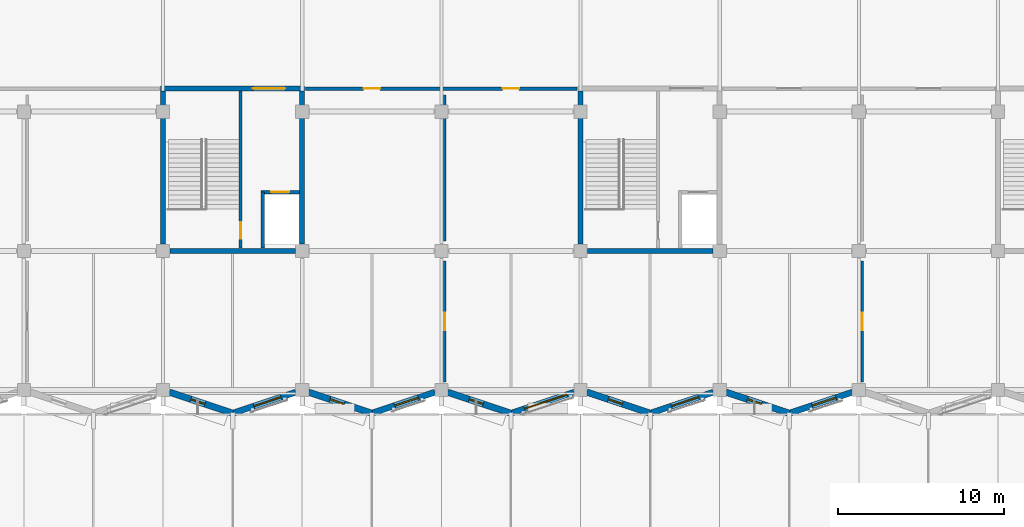
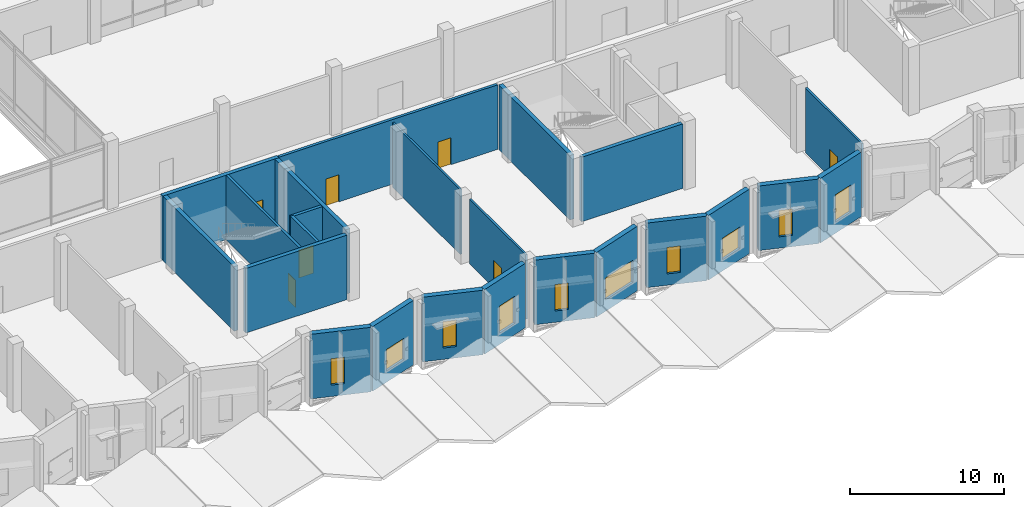
# One storey, part 50 of 72: 23 walls, 10 windows, 7 doors, 17 openings.
"""IFC4 building model written with IfcOpenShell, lengths in metres."""

import ifcopenshell
import ifcopenshell.guid

model = None  # the IFC model being written
_history = None  # IfcOwnerHistory: only IFC2X3 demands one
_inside = {}  # id of a spatial element -> (the spatial element, [elements in it])
_under = {}  # id of a project, library or spatial element -> (it, [spatial elements below it])
_declared = {}  # id of a project -> (the project, [libraries it declares])
_typed = {}  # id of a type object -> (the type object, [elements of that type])
_made_of = {}  # id of a material, layer set ... -> (it, [elements and type objects made of it])


def new_model(schema):
    """Start an empty IFC model of exactly this schema.

    Asked for "IFC4X3", IfcOpenShell would pick the latest addendum, in which some entities
    have other attributes; the version numbers below select the first issue.
    IFC2X3 requires an IfcOwnerHistory on every rooted entity: one is made here for all.
    """
    global model, _history
    if schema == "IFC4X3":
        model = ifcopenshell.file(schema_version=(4, 3, 0, 0))
    else:
        model = ifcopenshell.file(schema=schema)
    _inside.clear()
    _under.clear()
    _declared.clear()
    _typed.clear()
    _made_of.clear()
    _history = None
    if model.schema == "IFC2X3":
        org = make("IfcOrganization", Name="unknown")
        user = make(
            "IfcPersonAndOrganization",
            ThePerson=make("IfcPerson", FamilyName="unknown"),
            TheOrganization=org,
        )
        app = make(
            "IfcApplication",
            ApplicationDeveloper=org,
            Version="unknown",
            ApplicationFullName="unknown",
            ApplicationIdentifier="unknown",
        )
        _history = make(
            "IfcOwnerHistory",
            OwningUser=user,
            OwningApplication=app,
            ChangeAction="ADDED",
            CreationDate=0,
        )
    return model


def make(cls, **values):
    """One entity of the class cls with the attributes given. An attribute that is None is left unset."""
    return model.create_entity(
        cls, **{name: value for name, value in values.items() if value is not None}
    )


def rooted(cls, **values):
    """An entity with a GlobalId (a new one), such as an element, a storey or a relation."""
    return make(cls, GlobalId=ifcopenshell.guid.new(), OwnerHistory=_history, **values)


def si_unit(unit_type, name, prefix=None):
    """IfcSIUnit, for example si_unit("LENGTHUNIT", "METRE", prefix="MILLI")."""
    return make("IfcSIUnit", UnitType=unit_type, Prefix=prefix, Name=name)


def assignment(units):
    """IfcUnitAssignment: the units of a project."""
    return None if units is None else make("IfcUnitAssignment", Units=units)


def point(xyz):
    """IfcCartesianPoint."""
    return None if xyz is None else make("IfcCartesianPoint", Coordinates=xyz)


def direction(xyz):
    """IfcDirection."""
    return None if xyz is None else make("IfcDirection", DirectionRatios=xyz)


def frame(location, z_axis=None, x_axis=None):
    """IfcAxis2Placement3D, a coordinate frame: its origin and axes. An axis left out is left unset."""
    return make(
        "IfcAxis2Placement3D",
        Location=point(location),
        Axis=direction(z_axis),
        RefDirection=direction(x_axis),
    )


def frame_2d(location, x_axis=None):
    """IfcAxis2Placement2D, a coordinate frame in the plane: its origin and x axis."""
    return make(
        "IfcAxis2Placement2D", Location=point(location), RefDirection=direction(x_axis)
    )


def origin():
    """The frame at (0, 0, 0) with its axes left unset."""
    return frame((0.0, 0.0, 0.0))


def place(relative_to, where):
    """IfcLocalPlacement: puts the frame where relative to a parent placement (None: the world)."""
    return make(
        "IfcLocalPlacement", PlacementRelTo=relative_to, RelativePlacement=where
    )


def context(
    kind, dimensions, precision=None, world=None, true_north=None, identifier=None
):
    """IfcGeometricRepresentationContext, for example the 3D "Model" context."""
    return make(
        "IfcGeometricRepresentationContext",
        ContextIdentifier=identifier,
        ContextType=kind,
        CoordinateSpaceDimension=dimensions,
        Precision=precision,
        WorldCoordinateSystem=world,
        TrueNorth=true_north,
    )


def subcontext(parent, identifier, kind, view, scale=None):
    """IfcGeometricRepresentationSubContext, for example "Body" below "Model"."""
    return make(
        "IfcGeometricRepresentationSubContext",
        ContextIdentifier=identifier,
        ContextType=kind,
        ParentContext=parent,
        TargetScale=scale,
        TargetView=view,
    )


def project(units=None, contexts=None):
    """IfcProject with its units and contexts."""
    return rooted(
        "IfcProject",
        Name="project",
        RepresentationContexts=contexts,
        UnitsInContext=assignment(units),
    )


def spatial(cls, under=None, at=None, **own):
    """A site, building, storey or space (cls), placed at a placement, below another one or the project."""
    s = rooted(cls, ObjectPlacement=at, **own)
    if under is not None:
        _under.setdefault(under.id(), (under, []))[1].append(s)
    return s


def profile(cls, at=None, kind="AREA", **sizes):
    """A parametric profile (cls). Its sizes go by their IFC names, for example OverallWidth=200.0."""
    return make(cls, ProfileType=kind, Position=at, **sizes)


def rectangle(**sizes):
    """IfcRectangleProfileDef."""
    return profile("IfcRectangleProfileDef", **sizes)


def extrude(swept, where, along, depth):
    """IfcExtrudedAreaSolid: the profile swept, set in the frame where, extruded along a direction by depth."""
    return make(
        "IfcExtrudedAreaSolid",
        SweptArea=swept,
        Position=where,
        ExtrudedDirection=direction(along),
        Depth=depth,
    )


def shape(context_of_items, identifier, shape_type, items):
    """IfcShapeRepresentation: the items that make up one representation, for example the "Body"."""
    return make(
        "IfcShapeRepresentation",
        ContextOfItems=context_of_items,
        RepresentationIdentifier=identifier,
        RepresentationType=shape_type,
        Items=items,
    )


def material(Name=None, Category=None):
    """IfcMaterial."""
    return make("IfcMaterial", Name=Name, Category=Category)


def layer(
    of_material, thickness, ventilated=None, Name=None, Category=None, Priority=None
):
    """IfcMaterialLayer: one layer of a wall or slab, of a material (None: an air gap)."""
    return make(
        "IfcMaterialLayer",
        Material=of_material,
        LayerThickness=thickness,
        IsVentilated=ventilated,
        Name=Name,
        Category=Category,
        Priority=Priority,
    )


def layer_set(layers, Name=None):
    """IfcMaterialLayerSet."""
    return make("IfcMaterialLayerSet", MaterialLayers=layers, LayerSetName=Name)


def made_of(thing, what):
    """Note that an element or type object is made of a material, layer set ...; save() writes the relation."""
    if what is not None:
        _made_of.setdefault(what.id(), (what, []))[1].append(thing)
    return thing


def type_object(cls, material=None, **own):
    """A type object (cls), such as IfcWallType, which elements share."""
    return made_of(rooted(cls, **own), material)


def element(
    cls,
    number,
    at=None,
    inside=None,
    cuts=None,
    type_object=None,
    material=None,
    context=None,
    identifier="Body",
    shape_type=None,
    held_by="IfcProductDefinitionShape",
    body=None,
    shapes=None,
    **own,
):
    """One element of the class cls, such as IfcWall. Its Tag is "e" and its number.

    at: its placement. inside: the storey or other place that contains it. cuts: it is an
    opening in that element (IfcRelVoidsElement). A single representation is given by context,
    identifier, shape_type and body (its items); several are given by shapes. held_by: the class
    of the entity that holds the representations. save() writes the other relations.
    """
    e = rooted(cls, Tag="e%d" % number, ObjectPlacement=at, **own)
    if body is not None:
        shapes = [shape(context, identifier, shape_type, body)]
    if shapes is not None:
        e.Representation = make(held_by, Representations=shapes)
    if inside is not None:
        _inside.setdefault(inside.id(), (inside, []))[1].append(e)
    if cuts is not None:
        rooted(
            "IfcRelVoidsElement", RelatingBuildingElement=cuts, RelatedOpeningElement=e
        )
    if type_object is not None:
        _typed.setdefault(type_object.id(), (type_object, []))[1].append(e)
    return made_of(e, material)


def fill(opening, filler):
    """IfcRelFillsElement: the door or window that sits in an opening."""
    return rooted(
        "IfcRelFillsElement",
        RelatingOpeningElement=opening,
        RelatedBuildingElement=filler,
    )


def aggregate(whole, parts):
    """IfcRelAggregates: a whole, such as a stair, and the parts it consists of."""
    return rooted("IfcRelAggregates", RelatingObject=whole, RelatedObjects=parts)


def save(model, path):
    """Write the relations noted so far, then the file.

    IfcRelAggregates (storeys below a building ...), IfcRelContainedInSpatialStructure (elements
    in a storey), IfcRelDefinesByType, IfcRelAssociatesMaterial and IfcRelDeclares: one each for
    every whole, place, type object, material and project.
    """
    for whole, parts in _under.values():
        aggregate(whole, parts)
    for where, things in _inside.values():
        rooted(
            "IfcRelContainedInSpatialStructure",
            RelatedElements=things,
            RelatingStructure=where,
        )
    for kind, things in _typed.values():
        rooted("IfcRelDefinesByType", RelatedObjects=things, RelatingType=kind)
    for what, things in _made_of.values():
        rooted("IfcRelAssociatesMaterial", RelatedObjects=things, RelatingMaterial=what)
    for by, libraries in _declared.values():
        rooted("IfcRelDeclares", RelatingContext=by, RelatedDefinitions=libraries)
    model.write(path)


model = new_model("IFC4")

# Units and contexts
model_context = context("Model", 3, precision=1e-05, world=origin(), true_north=direction((0.0, 1.0)))
body_context = subcontext(model_context, "Body", "Model", "MODEL_VIEW")
ifc_project = project(units=[si_unit("LENGTHUNIT", "METRE"), si_unit("AREAUNIT", "SQUARE_METRE"), si_unit("VOLUMEUNIT", "CUBIC_METRE"), si_unit("PLANEANGLEUNIT", "RADIAN"), si_unit("MASSUNIT", "GRAM", prefix="KILO")], contexts=[model_context])

# Site, building, storey
site_placement = place(None, origin())
site = spatial("IfcSite", under=ifc_project, at=site_placement, CompositionType="ELEMENT")
building_placement = place(site_placement, origin())
building = spatial("IfcBuilding", under=site, at=building_placement, Name="Qawsi Khor Wholesale Market", CompositionType="ELEMENT")
storey_placement = place(building_placement, frame((0.0, 0.0, 6.0)))
storey = spatial("IfcBuildingStorey", under=building, at=storey_placement, Name="L01", CompositionType="ELEMENT", Elevation=6.0)

# Walls
ifc_material_1 = material(Name="Concrete C40/50", Category="concrete")
ifc_layer_1 = layer(ifc_material_1, 0.300048828125, Name="Concrete C40/50")
ifc_layer_set_1 = layer_set([ifc_layer_1], Name="Concrete C40/50")
wall_type_1 = type_object("IfcWallType", Name="Core Shear Wall RC 300 C40/50", PredefinedType="SHEAR", material=ifc_layer_set_1)
wall_1_placement = place(storey_placement, frame((75.195068359375, 8.39990234375, 0.0), z_axis=(0.0, 0.0, 1.0), x_axis=(-1.0, 0.0, 0.0)))
element("IfcWall", 1, at=wall_1_placement, inside=storey, type_object=wall_type_1, Name="Core C02 south shear wall L01", PredefinedType="SHEAR", context=body_context, shape_type="SweptSolid", body=[
    extrude(rectangle(XDim=7.590087890625, YDim=0.300048828125, at=frame_2d((3.794921875, 0.0))), origin(), (0.0, 0.0, 1.0), 5.1201171875),
])
wall_2_placement = place(storey_placement, frame((67.199951171875, 8.804931640625, 0.0), z_axis=(0.0, 0.0, 1.0), x_axis=(0.0, 1.0, 0.0)))
element("IfcWall", 2, at=wall_2_placement, inside=storey, type_object=wall_type_1, Name="Core C02 west shear wall L01", PredefinedType="SHEAR", context=body_context, shape_type="SweptSolid", body=[
    extrude(rectangle(XDim=9.2451171875, YDim=0.300048828125, at=frame_2d((4.62255859375, 0.0))), origin(), (0.0, 0.0, 1.0), 5.1201171875),
])

# Wall, opening, door
wall_3_placement = place(storey_placement, frame((67.050048828125, 18.199951171875, 0.0), z_axis=(0.0, 0.0, 1.0), x_axis=(1.0, 0.0, 0.0)))
wall_3 = element("IfcWall", 3, at=wall_3_placement, inside=storey, type_object=wall_type_1, Name="Core C02 north shear wall L01", PredefinedType="SHEAR", context=body_context, shape_type="SweptSolid", body=[
    extrude(rectangle(XDim=8.699951171875, YDim=0.300048828125, at=frame_2d((4.35009765625, 0.0))), origin(), (0.0, 0.0, 1.0), 5.1201171875),
])
opening_1_placement = place(wall_3_placement, frame((5.570068359375, 0.0, 0.0)))
opening_1 = element("IfcOpeningElement", 4, at=opening_1_placement, cuts=wall_3, Name="Opening ID-01", PredefinedType="OPENING", context=body_context, shape_type="SweptSolid", body=[
    extrude(rectangle(XDim=1.9599609375, YDim=2.199951171875, at=frame_2d((0.97998046875, 1.10009765625))), frame((0.0, 0.159912109375, 0.0), z_axis=(0.0, -1.0, 0.0), x_axis=(1.0, 0.0, 0.0)), (0.0, 0.0, 1.0), 0.320068359375),
])
ifc_material_2 = material(Name="Steel Fire Door", Category="steel")
door_type_1 = type_object("IfcDoorType", Name="Stair & Core Fire Door 1960x2200 FD90S", OperationType="NOTDEFINED", PredefinedType="DOOR", material=ifc_material_2)
door_1_placement = place(opening_1_placement, origin())
door_1 = element("IfcDoor", 5, at=door_1_placement, inside=storey, type_object=door_type_1, Name="Core C02 fire door L01", OperationType="DOUBLE_DOOR_SINGLE_SWING", OverallHeight=2.199951171875, OverallWidth=1.9599609375, PredefinedType="DOOR", context=body_context, shape_type="SweptSolid", body=[
    extrude(rectangle(XDim=1.9599609375, YDim=2.199951171875, at=frame_2d((0.97998046875, 1.10009765625))), frame((0.0, 0.02490234375, 0.0), z_axis=(0.0, -1.0, 0.0), x_axis=(1.0, 0.0, 0.0)), (0.0, 0.0, 1.0), 0.050048828125),
])
fill(opening_1, door_1)

# Walls
wall_4_placement = place(storey_placement, frame((75.60009765625, 18.050048828125, 0.0), z_axis=(0.0, 0.0, 1.0), x_axis=(0.0, -1.0, 0.0)))
element("IfcWall", 6, at=wall_4_placement, inside=storey, type_object=wall_type_1, Name="Core C02 east shear wall L01", PredefinedType="SHEAR", context=body_context, shape_type="SweptSolid", body=[
    extrude(rectangle(XDim=9.2451171875, YDim=0.300048828125, at=frame_2d((4.62255859375, 0.0))), origin(), (0.0, 0.0, 1.0), 5.1201171875),
])
wall_5_placement = place(storey_placement, frame((100.39501953125, 8.39990234375, 0.0), z_axis=(0.0, 0.0, 1.0), x_axis=(-1.0, 0.0, 0.0)))
element("IfcWall", 7, at=wall_5_placement, inside=storey, type_object=wall_type_1, Name="Core C03 south shear wall L01", PredefinedType="SHEAR", context=body_context, shape_type="SweptSolid", body=[
    extrude(rectangle(XDim=7.590087890625, YDim=0.300048828125, at=frame_2d((3.794921875, 0.0))), origin(), (0.0, 0.0, 1.0), 5.1201171875),
])
wall_6_placement = place(storey_placement, frame((92.39990234375, 8.804931640625, 0.0), z_axis=(0.0, 0.0, 1.0), x_axis=(0.0, 1.0, 0.0)))
element("IfcWall", 8, at=wall_6_placement, inside=storey, type_object=wall_type_1, Name="Core C03 west shear wall L01", PredefinedType="SHEAR", context=body_context, shape_type="SweptSolid", body=[
    extrude(rectangle(XDim=9.2451171875, YDim=0.300048828125, at=frame_2d((4.62255859375, 0.0))), origin(), (0.0, 0.0, 1.0), 5.1201171875),
])

# Wall, openings, doors
ifc_material_3 = material(Name="Gypsum Fireboard on Steel Stud", Category="steel")
ifc_layer_2 = layer(ifc_material_3, 0.2099609375, Name="Gypsum Fireboard on Steel Stud")
ifc_layer_set_2 = layer_set([ifc_layer_2], Name="Gypsum Fireboard on Steel Stud")
wall_type_2 = type_object("IfcWallType", Name="Corridor Fire Partition Wall 210", PredefinedType="PARTITIONING", material=ifc_layer_set_2)
wall_7_placement = place(storey_placement, frame((75.800048828125, 18.199951171875, 0.0), z_axis=(0.0, 0.0, 1.0), x_axis=(1.0, 0.0, 0.0)))
wall_7 = element("IfcWall", 9, at=wall_7_placement, inside=storey, type_object=wall_type_2, Name="PW-L01-049", PredefinedType="PARTITIONING", context=body_context, shape_type="SweptSolid", body=[
    extrude(rectangle(XDim=16.39990234375, YDim=0.2099609375, at=frame_2d((8.199951171875, 0.0))), origin(), (0.0, 0.0, 1.0), 5.1201171875),
])
opening_2_placement = place(wall_7_placement, frame((3.5, 0.0, 0.0)))
opening_2 = element("IfcOpeningElement", 10, at=opening_2_placement, cuts=wall_7, Name="Opening ID-06", PredefinedType="OPENING", context=body_context, shape_type="SweptSolid", body=[
    extrude(rectangle(XDim=1.0, YDim=2.14990234375, at=frame_2d((0.5, 1.074951171875))), frame((0.0, 0.114990234375, 0.0), z_axis=(0.0, -1.0, 0.0), x_axis=(1.0, 0.0, 0.0)), (0.0, 0.0, 1.0), 0.22998046875),
])
opening_3_placement = place(wall_7_placement, frame((11.89990234375, 0.0, 0.0)))
opening_3 = element("IfcOpeningElement", 11, at=opening_3_placement, cuts=wall_7, Name="Opening ID-06", PredefinedType="OPENING", context=body_context, shape_type="SweptSolid", body=[
    extrude(rectangle(XDim=1.0, YDim=2.14990234375, at=frame_2d((0.5, 1.074951171875))), frame((0.0, 0.114990234375, 0.0), z_axis=(0.0, -1.0, 0.0), x_axis=(1.0, 0.0, 0.0)), (0.0, 0.0, 1.0), 0.22998046875),
])
ifc_material_4 = material(Name="Hardwood Timber Veneer", Category="wood")
door_type_2 = type_object("IfcDoorType", Name="Traders Office Single Door 1000x2150", OperationType="NOTDEFINED", PredefinedType="DOOR", material=ifc_material_4)
door_2_placement = place(opening_2_placement, origin())
door_2 = element("IfcDoor", 12, at=door_2_placement, inside=storey, type_object=door_type_2, Name="Traders Office Single Door 1000x2150 L01-053", OperationType="SINGLE_SWING_LEFT", OverallHeight=2.14990234375, OverallWidth=1.0, PredefinedType="DOOR", context=body_context, shape_type="SweptSolid", body=[
    extrude(rectangle(XDim=1.0, YDim=2.14990234375, at=frame_2d((0.5, 1.074951171875))), frame((0.0, 0.02490234375, 0.0), z_axis=(0.0, -1.0, 0.0), x_axis=(1.0, 0.0, 0.0)), (0.0, 0.0, 1.0), 0.050048828125),
])
fill(opening_2, door_2)
door_3_placement = place(opening_3_placement, origin())
door_3 = element("IfcDoor", 13, at=door_3_placement, inside=storey, type_object=door_type_2, Name="Traders Office Single Door 1000x2150 L01-054", OperationType="SINGLE_SWING_RIGHT", OverallHeight=2.14990234375, OverallWidth=1.0, PredefinedType="DOOR", context=body_context, shape_type="SweptSolid", body=[
    extrude(rectangle(XDim=1.0, YDim=2.14990234375, at=frame_2d((0.5, 1.074951171875))), frame((0.0, 0.02490234375, 0.0), z_axis=(0.0, -1.0, 0.0), x_axis=(1.0, 0.0, 0.0)), (0.0, 0.0, 1.0), 0.050048828125),
])
fill(opening_3, door_3)

# Wall
ifc_layer_3 = layer(ifc_material_1, 0.219970703125, Name="Concrete C40/50")
ifc_layer_set_3 = layer_set([ifc_layer_3], Name="Concrete C40/50")
wall_type_3 = type_object("IfcWallType", Name="Lift & Stair Shaft Wall RC 220", PredefinedType="SOLIDWALL", material=ifc_layer_set_3)
wall_8_placement = place(storey_placement, frame((73.2099609375, 8.56005859375, 0.0), z_axis=(0.0, 0.0, 1.0), x_axis=(0.0, 1.0, 0.0)))
element("IfcWall", 14, at=wall_8_placement, inside=storey, type_object=wall_type_3, Name="Lift PL-01 shaft wall W L01", PredefinedType="SOLIDWALL", context=body_context, shape_type="SweptSolid", body=[
    extrude(rectangle(XDim=3.389892578125, YDim=0.219970703125, at=frame_2d((1.69482421875, 0.0))), origin(), (0.0, 0.0, 1.0), 5.1201171875),
])

# Wall, opening, door
wall_9_placement = place(storey_placement, frame((73.10009765625, 11.949951171875, 0.0), z_axis=(0.0, 0.0, 1.0), x_axis=(1.0, 0.0, 0.0)))
wall_9 = element("IfcWall", 15, at=wall_9_placement, inside=storey, type_object=wall_type_3, Name="Lift PL-01 shaft wall N L01", PredefinedType="SOLIDWALL", context=body_context, shape_type="SweptSolid", body=[
    extrude(rectangle(XDim=2.33984375, YDim=0.219970703125, at=frame_2d((1.169921875, 0.0))), origin(), (0.0, 0.0, 1.0), 5.1201171875),
])
opening_4_placement = place(wall_9_placement, frame((0.6201171875, 0.0, 0.0)))
opening_4 = element("IfcOpeningElement", 16, at=opening_4_placement, cuts=wall_9, Name="Opening LD-P110", PredefinedType="OPENING", context=body_context, shape_type="SweptSolid", body=[
    extrude(rectangle(XDim=1.10009765625, YDim=2.199951171875, at=frame_2d((0.550048828125, 1.10009765625))), frame((0.0, 0.119873046875, 0.0), z_axis=(0.0, -1.0, 0.0), x_axis=(1.0, 0.0, 0.0)), (0.0, 0.0, 1.0), 0.239990234375),
])
ifc_material_5 = material(Name="Brushed Stainless Steel", Category="steel")
door_type_3 = type_object("IfcDoorType", Name="Passenger Lift Landing Sliding Door 1100x2200 FD90S", OperationType="NOTDEFINED", PredefinedType="DOOR", material=ifc_material_5)
door_4_placement = place(opening_4_placement, origin())
door_4 = element("IfcDoor", 17, at=door_4_placement, inside=storey, type_object=door_type_3, Name="Lift PL-01 landing door L01", OperationType="SLIDING_TO_RIGHT", OverallHeight=2.199951171875, OverallWidth=1.10009765625, PredefinedType="DOOR", context=body_context, shape_type="SweptSolid", body=[
    extrude(rectangle(XDim=1.10009765625, YDim=2.199951171875, at=frame_2d((0.550048828125, 1.10009765625))), frame((0.0, 0.02490234375, 0.0), z_axis=(0.0, -1.0, 0.0), x_axis=(1.0, 0.0, 0.0)), (0.0, 0.0, 1.0), 0.050048828125),
])
fill(opening_4, door_4)

ifc_material_6 = material(Name="Gypsum Board on Metal Stud", Category="gypsum")
ifc_layer_4 = layer(ifc_material_6, 0.14990234375, Name="Gypsum Board on Metal Stud")
ifc_layer_set_4 = layer_set([ifc_layer_4], Name="Gypsum Board on Metal Stud")
wall_type_4 = type_object("IfcWallType", Name="Office Partition Wall 150", PredefinedType="PARTITIONING", material=ifc_layer_set_4)
wall_10_placement = place(storey_placement, frame((84.199951171875, 0.5, 0.0), z_axis=(0.0, 0.0, 1.0), x_axis=(0.0, 1.0, 0.0)))
wall_10 = element("IfcWall", 18, at=wall_10_placement, inside=storey, type_object=wall_type_4, Name="PW-L01-050", PredefinedType="PARTITIONING", context=body_context, shape_type="SweptSolid", body=[
    extrude(rectangle(XDim=7.300048828125, YDim=0.14990234375, at=frame_2d((3.64990234375, 0.0))), origin(), (0.0, 0.0, 1.0), 5.1201171875),
])
opening_5_placement = place(wall_10_placement, frame((3.10009765625, 0.0, 0.0)))
opening_5 = element("IfcOpeningElement", 19, at=opening_5_placement, cuts=wall_10, Name="Opening ID-07", PredefinedType="OPENING", context=body_context, shape_type="SweptSolid", body=[
    extrude(rectangle(XDim=1.06005859375, YDim=2.179931640625, at=frame_2d((0.530029296875, 1.08984375))), frame((0.0, 0.0849609375, 0.0), z_axis=(0.0, -1.0, 0.0), x_axis=(1.0, 0.0, 0.0)), (0.0, 0.0, 1.0), 0.169921875),
])
door_type_4 = type_object("IfcDoorType", Name="Clearinghouse Suite Door 1060x2180", OperationType="NOTDEFINED", PredefinedType="DOOR", material=ifc_material_4)
door_5_placement = place(opening_5_placement, origin())
door_5 = element("IfcDoor", 20, at=door_5_placement, inside=storey, type_object=door_type_4, Name="Clearinghouse Suite Door 1060x2180 L01-055", OperationType="SINGLE_SWING_RIGHT", OverallHeight=2.179931640625, OverallWidth=1.06005859375, PredefinedType="DOOR", context=body_context, shape_type="SweptSolid", body=[
    extrude(rectangle(XDim=1.06005859375, YDim=2.179931640625, at=frame_2d((0.530029296875, 1.08984375))), frame((0.0, 0.02490234375, 0.0), z_axis=(0.0, -1.0, 0.0), x_axis=(1.0, 0.0, 0.0)), (0.0, 0.0, 1.0), 0.050048828125),
])
fill(opening_5, door_5)

# Wall
wall_11_placement = place(storey_placement, frame((84.199951171875, 9.0, 0.0), z_axis=(0.0, 0.0, 1.0), x_axis=(0.0, 1.0, 0.0)))
element("IfcWall", 21, at=wall_11_placement, inside=storey, type_object=wall_type_4, Name="PW-L01-051", PredefinedType="PARTITIONING", context=body_context, shape_type="SweptSolid", body=[
    extrude(rectangle(XDim=8.800048828125, YDim=0.14990234375, at=frame_2d((4.39990234375, 0.0))), origin(), (0.0, 0.0, 1.0), 5.1201171875),
])

# Wall, opening, door
wall_12_placement = place(storey_placement, frame((109.39990234375, 0.5, 0.0), z_axis=(0.0, 0.0, 1.0), x_axis=(0.0, 1.0, 0.0)))
wall_12 = element("IfcWall", 22, at=wall_12_placement, inside=storey, type_object=wall_type_4, Name="PW-L01-053", PredefinedType="PARTITIONING", context=body_context, shape_type="SweptSolid", body=[
    extrude(rectangle(XDim=7.300048828125, YDim=0.14990234375, at=frame_2d((3.64990234375, 0.0))), origin(), (0.0, 0.0, 1.0), 5.1201171875),
])
opening_6_placement = place(wall_12_placement, frame((3.10009765625, 0.0, 0.0)))
opening_6 = element("IfcOpeningElement", 23, at=opening_6_placement, cuts=wall_12, Name="Opening ID-07", PredefinedType="OPENING", context=body_context, shape_type="SweptSolid", body=[
    extrude(rectangle(XDim=1.06005859375, YDim=2.179931640625, at=frame_2d((0.530029296875, 1.08984375))), frame((0.0, 0.0849609375, 0.0), z_axis=(0.0, -1.0, 0.0), x_axis=(1.0, 0.0, 0.0)), (0.0, 0.0, 1.0), 0.169921875),
])
door_6_placement = place(opening_6_placement, origin())
door_6 = element("IfcDoor", 24, at=door_6_placement, inside=storey, type_object=door_type_4, Name="Clearinghouse Suite Door 1060x2180 L01-058", OperationType="SINGLE_SWING_RIGHT", OverallHeight=2.179931640625, OverallWidth=1.06005859375, PredefinedType="DOOR", context=body_context, shape_type="SweptSolid", body=[
    extrude(rectangle(XDim=1.06005859375, YDim=2.179931640625, at=frame_2d((0.530029296875, 1.08984375))), frame((0.0, 0.02490234375, 0.0), z_axis=(0.0, -1.0, 0.0), x_axis=(1.0, 0.0, 0.0)), (0.0, 0.0, 1.0), 0.050048828125),
])
fill(opening_6, door_6)

ifc_layer_5 = layer(ifc_material_1, 0.18994140625, Name="Concrete C40/50")
ifc_layer_set_5 = layer_set([ifc_layer_5], Name="Concrete C40/50")
wall_type_5 = type_object("IfcWallType", Name="Stairwell Enclosure Wall RC 190", PredefinedType="SOLIDWALL", material=ifc_layer_set_5)
wall_13_placement = place(storey_placement, frame((71.8798828125, 8.56005859375, 0.0), z_axis=(0.0, 0.0, 1.0), x_axis=(0.0, 1.0, 0.0)))
wall_13 = element("IfcWall", 25, at=wall_13_placement, inside=storey, type_object=wall_type_5, Name="Core C02 stairwell enclosure wall L01", PredefinedType="SOLIDWALL", context=body_context, shape_type="SweptSolid", body=[
    extrude(rectangle(XDim=9.47998046875, YDim=0.18994140625, at=frame_2d((4.739990234375, 0.0))), origin(), (0.0, 0.0, 1.0), 5.1201171875),
])
opening_7_placement = place(wall_13_placement, frame((0.580078125, 0.0, 0.0)))
opening_7 = element("IfcOpeningElement", 26, at=opening_7_placement, cuts=wall_13, Name="Opening ID-17", PredefinedType="OPENING", context=body_context, shape_type="SweptSolid", body=[
    extrude(rectangle(XDim=0.97998046875, YDim=2.14990234375, at=frame_2d((0.489990234375, 1.074951171875))), frame((0.0, 0.10498046875, 0.0), z_axis=(0.0, -1.0, 0.0), x_axis=(1.0, 0.0, 0.0)), (0.0, 0.0, 1.0), 0.2099609375),
])
door_type_5 = type_object("IfcDoorType", Name="Core Stair Lobby Fire Door 980x2150 FD120S", OperationType="NOTDEFINED", PredefinedType="DOOR", material=ifc_material_2)
door_7_placement = place(opening_7_placement, origin())
door_7 = element("IfcDoor", 27, at=door_7_placement, inside=storey, type_object=door_type_5, Name="Core C02 stair enclosure fire door L01", OperationType="SINGLE_SWING_LEFT", OverallHeight=2.14990234375, OverallWidth=0.97998046875, PredefinedType="DOOR", context=body_context, shape_type="SweptSolid", body=[
    extrude(rectangle(XDim=0.97998046875, YDim=2.14990234375, at=frame_2d((0.489990234375, 1.074951171875))), frame((0.0, 0.02490234375, 0.0), z_axis=(0.0, -1.0, 0.0), x_axis=(1.0, 0.0, 0.0)), (0.0, 0.0, 1.0), 0.050048828125),
])
fill(opening_7, door_7)

# Wall, opening, window
ifc_layer_6 = layer(ifc_material_1, 0.3701171875, Name="Concrete C40/50")
ifc_layer_set_6 = layer_set([ifc_layer_6], Name="Concrete C40/50")
wall_type_6 = type_object("IfcWallType", Name="Turned-Bay Concrete Facade Wall 370", PredefinedType="SOLIDWALL", material=ifc_layer_set_6)
wall_14_placement = place(storey_placement, frame((75.2158203125, -0.128173828125, 0.0), z_axis=(0.0, 0.0, 1.0), x_axis=(-0.94870150572, -0.316173137767, 0.0)))
wall_14 = element("IfcWall", 28, at=wall_14_placement, inside=storey, type_object=wall_type_6, Name="EW-L01-SBAY-12", PredefinedType="SOLIDWALL", context=body_context, shape_type="SweptSolid", body=[
    extrude(rectangle(XDim=4.022216796875, YDim=0.3701171875, at=frame_2d((2.01123046875, 0.0))), origin(), (0.0, 0.0, 1.0), 5.1201171875),
])
opening_8_placement = place(wall_14_placement, frame((0.947998046875, 0.0, 0.89990234375)))
opening_8 = element("IfcOpeningElement", 29, at=opening_8_placement, cuts=wall_14, Name="Opening W-23", PredefinedType="OPENING", context=body_context, shape_type="SweptSolid", body=[
    extrude(rectangle(XDim=1.719970703125, YDim=1.699951171875, at=frame_2d((0.85986328125, 0.85009765625))), frame((0.0, 0.195068359375, 0.0), z_axis=(0.0, -1.0, 0.0), x_axis=(1.0, 0.0, 0.0)), (0.0, 0.0, 1.0), 0.39013671875),
])
ifc_material_7 = material(Name="Thermally Broken Aluminium & Low-E Glass", Category="aluminium")
window_type_1 = type_object("IfcWindowType", Name="Win W-23 East Office Punched 1720x1700", PartitioningType="SINGLE_PANEL", PredefinedType="WINDOW", material=ifc_material_7)
window_1_placement = place(opening_8_placement, origin())
window_1 = element("IfcWindow", 30, at=window_1_placement, inside=storey, type_object=window_type_1, Name="Win W-23 East Office Punched 1720x1700 012", OverallHeight=1.699951171875, OverallWidth=1.719970703125, PartitioningType="SINGLE_PANEL", PredefinedType="WINDOW", context=body_context, shape_type="SweptSolid", body=[
    extrude(rectangle(XDim=1.719970703125, YDim=1.699951171875, at=frame_2d((0.85986328125, 0.85009765625))), frame((0.0, 0.030029296875, 0.0), z_axis=(0.0, -1.0, 0.0), x_axis=(1.0, 0.0, 0.0)), (0.0, 0.0, 1.0), 0.06005859375),
])
fill(opening_8, window_1)

wall_15_placement = place(storey_placement, frame((83.61572265625, -0.128173828125, 0.0), z_axis=(0.0, 0.0, 1.0), x_axis=(-0.948695437545, -0.316191345203, 0.0)))
wall_15 = element("IfcWall", 31, at=wall_15_placement, inside=storey, type_object=wall_type_6, Name="EW-L01-SBAY-14", PredefinedType="SOLIDWALL", context=body_context, shape_type="SweptSolid", body=[
    extrude(rectangle(XDim=4.02197265625, YDim=0.3701171875, at=frame_2d((2.010986328125, 0.0))), origin(), (0.0, 0.0, 1.0), 5.1201171875),
])
opening_9_placement = place(wall_15_placement, frame((1.05810546875, 0.0, 0.89990234375)))
opening_9 = element("IfcOpeningElement", 32, at=opening_9_placement, cuts=wall_15, Name="Opening W-04", PredefinedType="OPENING", context=body_context, shape_type="SweptSolid", body=[
    extrude(rectangle(XDim=1.5, YDim=2.14990234375, at=frame_2d((0.75, 1.074951171875))), frame((0.0, 0.195068359375, 0.0), z_axis=(0.0, -1.0, 0.0), x_axis=(1.0, 0.0, 0.0)), (0.0, 0.0, 1.0), 0.39013671875),
])
window_type_2 = type_object("IfcWindowType", Name="Win W-04 Turned-Bay Wide 1500x2150", PartitioningType="SINGLE_PANEL", PredefinedType="WINDOW", material=ifc_material_7)
window_2_placement = place(opening_9_placement, origin())
window_2 = element("IfcWindow", 33, at=window_2_placement, inside=storey, type_object=window_type_2, Name="Win W-04 Turned-Bay Wide 1500x2150 014", OverallHeight=2.14990234375, OverallWidth=1.5, PartitioningType="SINGLE_PANEL", PredefinedType="WINDOW", context=body_context, shape_type="SweptSolid", body=[
    extrude(rectangle(XDim=1.5, YDim=2.14990234375, at=frame_2d((0.75, 1.074951171875))), frame((0.0, 0.030029296875, 0.0), z_axis=(0.0, -1.0, 0.0), x_axis=(1.0, 0.0, 0.0)), (0.0, 0.0, 1.0), 0.06005859375),
])
fill(opening_9, window_2)

wall_16_placement = place(storey_placement, frame((92.015869140625, -0.128173828125, 0.0), z_axis=(0.0, 0.0, 1.0), x_axis=(-0.94870150572, -0.316173137767, 0.0)))
wall_16 = element("IfcWall", 34, at=wall_16_placement, inside=storey, type_object=wall_type_6, Name="EW-L01-SBAY-16", PredefinedType="SOLIDWALL", context=body_context, shape_type="SweptSolid", body=[
    extrude(rectangle(XDim=4.022216796875, YDim=0.3701171875, at=frame_2d((2.01123046875, 0.0))), origin(), (0.0, 0.0, 1.0), 5.1201171875),
])
opening_10_placement = place(wall_16_placement, frame((0.4580078125, 0.0, 0.89990234375)))
opening_10 = element("IfcOpeningElement", 35, at=opening_10_placement, cuts=wall_16, Name="Opening W-09", PredefinedType="OPENING", context=body_context, shape_type="SweptSolid", body=[
    extrude(rectangle(XDim=2.699951171875, YDim=1.75, at=frame_2d((1.35009765625, 0.875))), frame((0.0, 0.195068359375, 0.0), z_axis=(0.0, -1.0, 0.0), x_axis=(1.0, 0.0, 0.0)), (0.0, 0.0, 1.0), 0.39013671875),
])
window_type_3 = type_object("IfcWindowType", Name="Win W-09 Clearinghouse Wide 2700x1750", PartitioningType="SINGLE_PANEL", PredefinedType="WINDOW", material=ifc_material_7)
window_3_placement = place(opening_10_placement, origin())
window_3 = element("IfcWindow", 36, at=window_3_placement, inside=storey, type_object=window_type_3, Name="Win W-09 Clearinghouse Wide 2700x1750 016", OverallHeight=1.75, OverallWidth=2.699951171875, PartitioningType="SINGLE_PANEL", PredefinedType="WINDOW", context=body_context, shape_type="SweptSolid", body=[
    extrude(rectangle(XDim=2.699951171875, YDim=1.75, at=frame_2d((1.35009765625, 0.875))), frame((0.0, 0.030029296875, 0.0), z_axis=(0.0, -1.0, 0.0), x_axis=(1.0, 0.0, 0.0)), (0.0, 0.0, 1.0), 0.06005859375),
])
fill(opening_10, window_3)

wall_17_placement = place(storey_placement, frame((100.415771484375, -0.128173828125, 0.0), z_axis=(0.0, 0.0, 1.0), x_axis=(-0.948695437545, -0.316191345203, 0.0)))
wall_17 = element("IfcWall", 37, at=wall_17_placement, inside=storey, type_object=wall_type_6, Name="EW-L01-SBAY-18", PredefinedType="SOLIDWALL", context=body_context, shape_type="SweptSolid", body=[
    extrude(rectangle(XDim=4.02197265625, YDim=0.3701171875, at=frame_2d((2.010986328125, 0.0))), origin(), (0.0, 0.0, 1.0), 5.1201171875),
])
opening_11_placement = place(wall_17_placement, frame((0.947998046875, 0.0, 0.89990234375)))
opening_11 = element("IfcOpeningElement", 38, at=opening_11_placement, cuts=wall_17, Name="Opening W-23", PredefinedType="OPENING", context=body_context, shape_type="SweptSolid", body=[
    extrude(rectangle(XDim=1.719970703125, YDim=1.699951171875, at=frame_2d((0.85986328125, 0.85009765625))), frame((0.0, 0.195068359375, 0.0), z_axis=(0.0, -1.0, 0.0), x_axis=(1.0, 0.0, 0.0)), (0.0, 0.0, 1.0), 0.39013671875),
])
window_4_placement = place(opening_11_placement, origin())
window_4 = element("IfcWindow", 39, at=window_4_placement, inside=storey, type_object=window_type_1, Name="Win W-23 East Office Punched 1720x1700 018", OverallHeight=1.699951171875, OverallWidth=1.719970703125, PartitioningType="SINGLE_PANEL", PredefinedType="WINDOW", context=body_context, shape_type="SweptSolid", body=[
    extrude(rectangle(XDim=1.719970703125, YDim=1.699951171875, at=frame_2d((0.85986328125, 0.85009765625))), frame((0.0, 0.030029296875, 0.0), z_axis=(0.0, -1.0, 0.0), x_axis=(1.0, 0.0, 0.0)), (0.0, 0.0, 1.0), 0.06005859375),
])
fill(opening_11, window_4)

wall_18_placement = place(storey_placement, frame((108.81591796875, -0.128173828125, 0.0), z_axis=(0.0, 0.0, 1.0), x_axis=(-0.94870150572, -0.316173137767, 0.0)))
wall_18 = element("IfcWall", 40, at=wall_18_placement, inside=storey, type_object=wall_type_6, Name="EW-L01-SBAY-20", PredefinedType="SOLIDWALL", context=body_context, shape_type="SweptSolid", body=[
    extrude(rectangle(XDim=4.022216796875, YDim=0.3701171875, at=frame_2d((2.01123046875, 0.0))), origin(), (0.0, 0.0, 1.0), 5.1201171875),
])
opening_12_placement = place(wall_18_placement, frame((1.05810546875, 0.0, 0.89990234375)))
opening_12 = element("IfcOpeningElement", 41, at=opening_12_placement, cuts=wall_18, Name="Opening W-04", PredefinedType="OPENING", context=body_context, shape_type="SweptSolid", body=[
    extrude(rectangle(XDim=1.5, YDim=2.14990234375, at=frame_2d((0.75, 1.074951171875))), frame((0.0, 0.195068359375, 0.0), z_axis=(0.0, -1.0, 0.0), x_axis=(1.0, 0.0, 0.0)), (0.0, 0.0, 1.0), 0.39013671875),
])
window_5_placement = place(opening_12_placement, origin())
window_5 = element("IfcWindow", 42, at=window_5_placement, inside=storey, type_object=window_type_2, Name="Win W-04 Turned-Bay Wide 1500x2150 020", OverallHeight=2.14990234375, OverallWidth=1.5, PartitioningType="SINGLE_PANEL", PredefinedType="WINDOW", context=body_context, shape_type="SweptSolid", body=[
    extrude(rectangle(XDim=1.5, YDim=2.14990234375, at=frame_2d((0.75, 1.074951171875))), frame((0.0, 0.030029296875, 0.0), z_axis=(0.0, -1.0, 0.0), x_axis=(1.0, 0.0, 0.0)), (0.0, 0.0, 1.0), 0.06005859375),
])
fill(opening_12, window_5)

ifc_layer_7 = layer(ifc_material_1, 0.389892578125, Name="Concrete C40/50")
ifc_layer_set_7 = layer_set([ifc_layer_7], Name="Concrete C40/50")
wall_type_7 = type_object("IfcWallType", Name="Turned-Bay Concrete Facade Wall 390", PredefinedType="SOLIDWALL", material=ifc_layer_set_7)
wall_19_placement = place(storey_placement, frame((71.39990234375, -1.39990234375, 0.0), z_axis=(0.0, 0.0, 1.0), x_axis=(-0.948695437545, 0.316191345203, 0.0)))
wall_19 = element("IfcWall", 43, at=wall_19_placement, inside=storey, type_object=wall_type_7, Name="EW-L01-SBAY-11", PredefinedType="SOLIDWALL", context=body_context, shape_type="SweptSolid", body=[
    extrude(rectangle(XDim=4.02197265625, YDim=0.389892578125, at=frame_2d((2.010986328125, 0.0))), origin(), (0.0, 0.0, 1.0), 5.1201171875),
])
opening_13_placement = place(wall_19_placement, frame((1.762939453125, 0.0, 0.89990234375)))
opening_13 = element("IfcOpeningElement", 44, at=opening_13_placement, cuts=wall_19, Name="Opening W-02", PredefinedType="OPENING", context=body_context, shape_type="SweptSolid", body=[
    extrude(rectangle(XDim=0.89990234375, YDim=2.10009765625, at=frame_2d((0.449951171875, 1.050048828125))), frame((0.0, 0.204833984375, 0.0), z_axis=(0.0, -1.0, 0.0), x_axis=(1.0, 0.0, 0.0)), (0.0, 0.0, 1.0), 0.409912109375),
])
window_type_4 = type_object("IfcWindowType", Name="Win W-02 Deep-Set Narrow 900x2100", PartitioningType="SINGLE_PANEL", PredefinedType="WINDOW", material=ifc_material_7)
window_6_placement = place(opening_13_placement, origin())
window_6 = element("IfcWindow", 45, at=window_6_placement, inside=storey, type_object=window_type_4, Name="Win W-02 Deep-Set Narrow 900x2100 011", OverallHeight=2.10009765625, OverallWidth=0.89990234375, PartitioningType="SINGLE_PANEL", PredefinedType="WINDOW", context=body_context, shape_type="SweptSolid", body=[
    extrude(rectangle(XDim=0.89990234375, YDim=2.10009765625, at=frame_2d((0.449951171875, 1.050048828125))), frame((0.0, 0.030029296875, 0.0), z_axis=(0.0, -1.0, 0.0), x_axis=(1.0, 0.0, 0.0)), (0.0, 0.0, 1.0), 0.06005859375),
])
fill(opening_13, window_6)

wall_20_placement = place(storey_placement, frame((79.800048828125, -1.39990234375, 0.0), z_axis=(0.0, 0.0, 1.0), x_axis=(-0.94870150572, 0.316173137767, 0.0)))
wall_20 = element("IfcWall", 46, at=wall_20_placement, inside=storey, type_object=wall_type_7, Name="EW-L01-SBAY-13", PredefinedType="SOLIDWALL", context=body_context, shape_type="SweptSolid", body=[
    extrude(rectangle(XDim=4.022216796875, YDim=0.389892578125, at=frame_2d((2.01123046875, 0.0))), origin(), (0.0, 0.0, 1.0), 5.1201171875),
])
opening_14_placement = place(wall_20_placement, frame((1.762939453125, 0.0, 0.89990234375)))
opening_14 = element("IfcOpeningElement", 47, at=opening_14_placement, cuts=wall_20, Name="Opening W-02", PredefinedType="OPENING", context=body_context, shape_type="SweptSolid", body=[
    extrude(rectangle(XDim=0.89990234375, YDim=2.10009765625, at=frame_2d((0.449951171875, 1.050048828125))), frame((0.0, 0.204833984375, 0.0), z_axis=(0.0, -1.0, 0.0), x_axis=(1.0, 0.0, 0.0)), (0.0, 0.0, 1.0), 0.409912109375),
])
window_7_placement = place(opening_14_placement, origin())
window_7 = element("IfcWindow", 48, at=window_7_placement, inside=storey, type_object=window_type_4, Name="Win W-02 Deep-Set Narrow 900x2100 013", OverallHeight=2.10009765625, OverallWidth=0.89990234375, PartitioningType="SINGLE_PANEL", PredefinedType="WINDOW", context=body_context, shape_type="SweptSolid", body=[
    extrude(rectangle(XDim=0.89990234375, YDim=2.10009765625, at=frame_2d((0.449951171875, 1.050048828125))), frame((0.0, 0.030029296875, 0.0), z_axis=(0.0, -1.0, 0.0), x_axis=(1.0, 0.0, 0.0)), (0.0, 0.0, 1.0), 0.06005859375),
])
fill(opening_14, window_7)

wall_21_placement = place(storey_placement, frame((88.199951171875, -1.39990234375, 0.0), z_axis=(0.0, 0.0, 1.0), x_axis=(-0.948695437545, 0.316191345203, 0.0)))
wall_21 = element("IfcWall", 49, at=wall_21_placement, inside=storey, type_object=wall_type_7, Name="EW-L01-SBAY-15", PredefinedType="SOLIDWALL", context=body_context, shape_type="SweptSolid", body=[
    extrude(rectangle(XDim=4.02197265625, YDim=0.389892578125, at=frame_2d((2.010986328125, 0.0))), origin(), (0.0, 0.0, 1.0), 5.1201171875),
])
opening_15_placement = place(wall_21_placement, frame((1.762939453125, 0.0, 0.89990234375)))
opening_15 = element("IfcOpeningElement", 50, at=opening_15_placement, cuts=wall_21, Name="Opening W-02", PredefinedType="OPENING", context=body_context, shape_type="SweptSolid", body=[
    extrude(rectangle(XDim=0.89990234375, YDim=2.10009765625, at=frame_2d((0.449951171875, 1.050048828125))), frame((0.0, 0.204833984375, 0.0), z_axis=(0.0, -1.0, 0.0), x_axis=(1.0, 0.0, 0.0)), (0.0, 0.0, 1.0), 0.409912109375),
])
window_8_placement = place(opening_15_placement, origin())
window_8 = element("IfcWindow", 51, at=window_8_placement, inside=storey, type_object=window_type_4, Name="Win W-02 Deep-Set Narrow 900x2100 015", OverallHeight=2.10009765625, OverallWidth=0.89990234375, PartitioningType="SINGLE_PANEL", PredefinedType="WINDOW", context=body_context, shape_type="SweptSolid", body=[
    extrude(rectangle(XDim=0.89990234375, YDim=2.10009765625, at=frame_2d((0.449951171875, 1.050048828125))), frame((0.0, 0.030029296875, 0.0), z_axis=(0.0, -1.0, 0.0), x_axis=(1.0, 0.0, 0.0)), (0.0, 0.0, 1.0), 0.06005859375),
])
fill(opening_15, window_8)

wall_22_placement = place(storey_placement, frame((96.60009765625, -1.39990234375, 0.0), z_axis=(0.0, 0.0, 1.0), x_axis=(-0.94870150572, 0.316173137767, 0.0)))
wall_22 = element("IfcWall", 52, at=wall_22_placement, inside=storey, type_object=wall_type_7, Name="EW-L01-SBAY-17", PredefinedType="SOLIDWALL", context=body_context, shape_type="SweptSolid", body=[
    extrude(rectangle(XDim=4.022216796875, YDim=0.389892578125, at=frame_2d((2.01123046875, 0.0))), origin(), (0.0, 0.0, 1.0), 5.1201171875),
])
opening_16_placement = place(wall_22_placement, frame((1.762939453125, 0.0, 0.89990234375)))
opening_16 = element("IfcOpeningElement", 53, at=opening_16_placement, cuts=wall_22, Name="Opening W-02", PredefinedType="OPENING", context=body_context, shape_type="SweptSolid", body=[
    extrude(rectangle(XDim=0.89990234375, YDim=2.10009765625, at=frame_2d((0.449951171875, 1.050048828125))), frame((0.0, 0.204833984375, 0.0), z_axis=(0.0, -1.0, 0.0), x_axis=(1.0, 0.0, 0.0)), (0.0, 0.0, 1.0), 0.409912109375),
])
window_9_placement = place(opening_16_placement, origin())
window_9 = element("IfcWindow", 54, at=window_9_placement, inside=storey, type_object=window_type_4, Name="Win W-02 Deep-Set Narrow 900x2100 017", OverallHeight=2.10009765625, OverallWidth=0.89990234375, PartitioningType="SINGLE_PANEL", PredefinedType="WINDOW", context=body_context, shape_type="SweptSolid", body=[
    extrude(rectangle(XDim=0.89990234375, YDim=2.10009765625, at=frame_2d((0.449951171875, 1.050048828125))), frame((0.0, 0.030029296875, 0.0), z_axis=(0.0, -1.0, 0.0), x_axis=(1.0, 0.0, 0.0)), (0.0, 0.0, 1.0), 0.06005859375),
])
fill(opening_16, window_9)

wall_23_placement = place(storey_placement, frame((105.0, -1.39990234375, 0.0), z_axis=(0.0, 0.0, 1.0), x_axis=(-0.94870150572, 0.316173137767, 0.0)))
wall_23 = element("IfcWall", 55, at=wall_23_placement, inside=storey, type_object=wall_type_7, Name="EW-L01-SBAY-19", PredefinedType="SOLIDWALL", context=body_context, shape_type="SweptSolid", body=[
    extrude(rectangle(XDim=4.022216796875, YDim=0.389892578125, at=frame_2d((2.01123046875, 0.0))), origin(), (0.0, 0.0, 1.0), 5.1201171875),
])
opening_17_placement = place(wall_23_placement, frame((1.762939453125, 0.0, 0.89990234375)))
opening_17 = element("IfcOpeningElement", 56, at=opening_17_placement, cuts=wall_23, Name="Opening W-02", PredefinedType="OPENING", context=body_context, shape_type="SweptSolid", body=[
    extrude(rectangle(XDim=0.89990234375, YDim=2.10009765625, at=frame_2d((0.449951171875, 1.050048828125))), frame((0.0, 0.204833984375, 0.0), z_axis=(0.0, -1.0, 0.0), x_axis=(1.0, 0.0, 0.0)), (0.0, 0.0, 1.0), 0.409912109375),
])
window_10_placement = place(opening_17_placement, origin())
window_10 = element("IfcWindow", 57, at=window_10_placement, inside=storey, type_object=window_type_4, Name="Win W-02 Deep-Set Narrow 900x2100 019", OverallHeight=2.10009765625, OverallWidth=0.89990234375, PartitioningType="SINGLE_PANEL", PredefinedType="WINDOW", context=body_context, shape_type="SweptSolid", body=[
    extrude(rectangle(XDim=0.89990234375, YDim=2.10009765625, at=frame_2d((0.449951171875, 1.050048828125))), frame((0.0, 0.030029296875, 0.0), z_axis=(0.0, -1.0, 0.0), x_axis=(1.0, 0.0, 0.0)), (0.0, 0.0, 1.0), 0.06005859375),
])
fill(opening_17, window_10)

save(model, "model.ifc")
